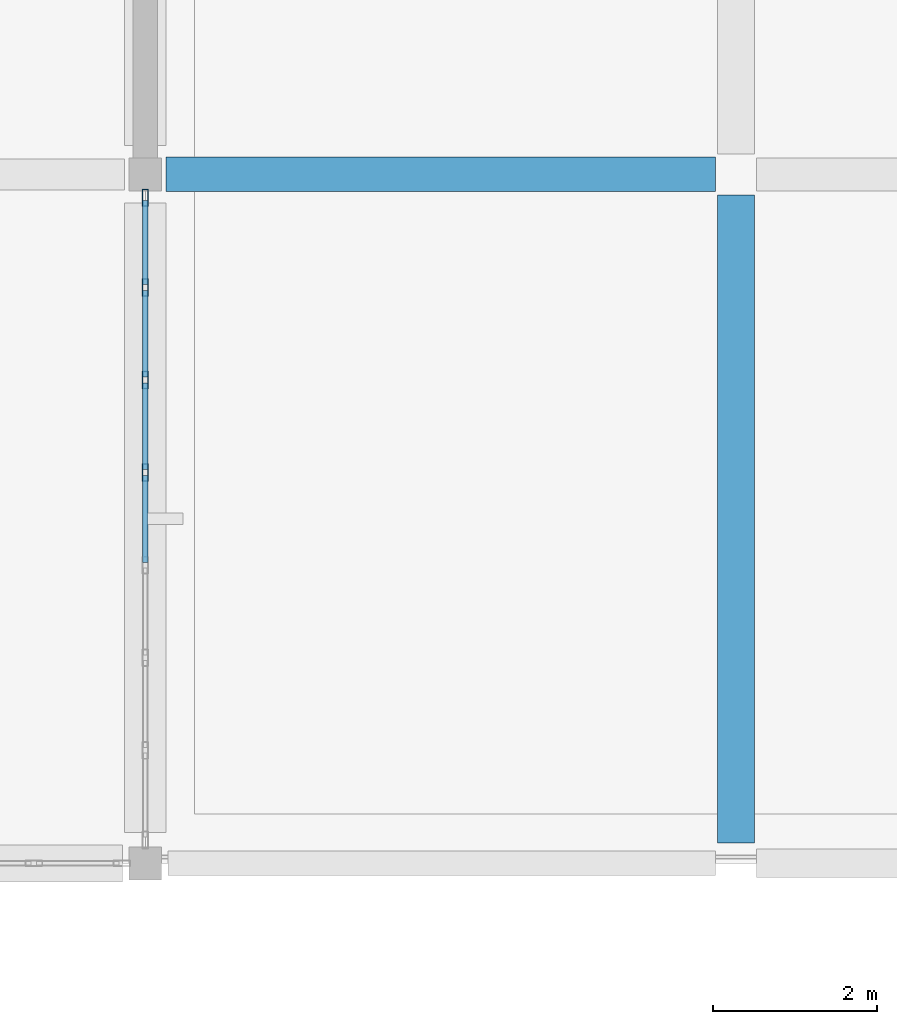
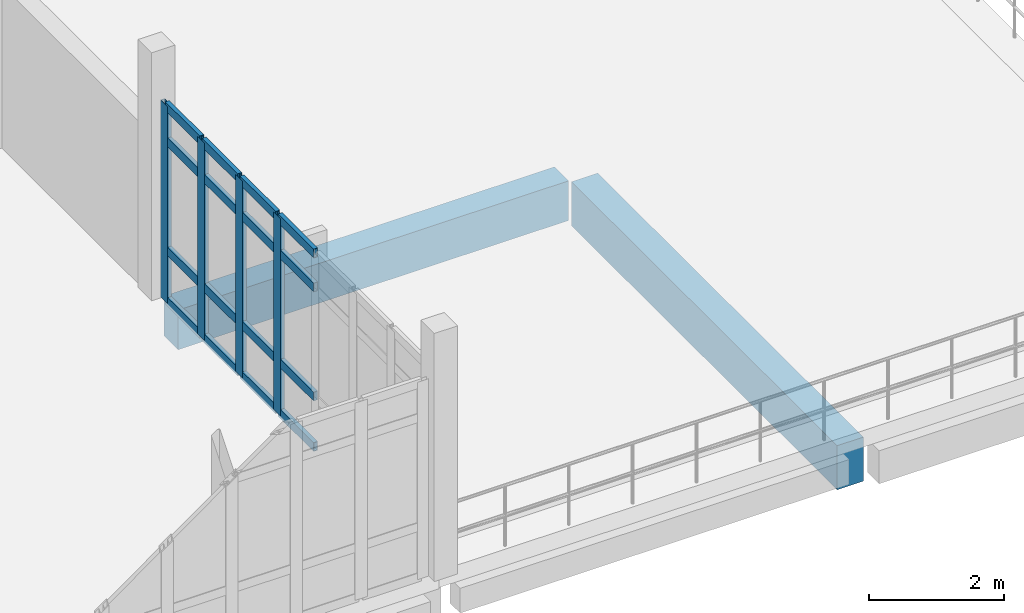
# One storey, part 17 of 34: 20 members, 2 beams, 1 element without a shape of its own.
"""IFC4 building model written with IfcOpenShell, lengths in metres."""

from ifc_helpers import new_model, si_unit, direction, frame, origin, origin_2d, place, context, subcontext, project, spatial, rectangle, hollow_rectangle, extrude, material, material_profile, profile_set, type_object, element, aggregate, save


model = new_model("IFC4")

# Units and contexts
model_context = context("Model", 3, precision=1e-05, world=origin(), true_north=direction((0.0, 1.0)))
body_context = subcontext(model_context, "Body", "Model", "MODEL_VIEW")
ifc_project = project(units=[si_unit("LENGTHUNIT", "METRE"), si_unit("AREAUNIT", "SQUARE_METRE"), si_unit("VOLUMEUNIT", "CUBIC_METRE"), si_unit("PLANEANGLEUNIT", "RADIAN"), si_unit("MASSUNIT", "GRAM", prefix="KILO")], contexts=[model_context])

# Site, building, storey
site_placement = place(None, origin())
site = spatial("IfcSite", under=ifc_project, at=site_placement, CompositionType="ELEMENT")
building_placement = place(site_placement, origin())
building = spatial("IfcBuilding", under=site, at=building_placement, Name="Kalluvel Institute of Natural Sciences", CompositionType="ELEMENT")
storey_placement = place(building_placement, frame((0.0, 0.0, 36.89990234375)))
storey = spatial("IfcBuildingStorey", under=building, at=storey_placement, Name="L08", CompositionType="ELEMENT", Elevation=36.89990234375)

# Beams
ifc_material_1 = material(Name="Concrete M40", Category="concrete")
ifc_material_profile_1 = material_profile(ifc_material_1, rectangle(XDim=0.419921875, YDim=0.719970703125, at=origin_2d()), Name="RCB 420x720")
ifc_profile_set_1 = profile_set([ifc_material_profile_1], Name="Concrete M40")
beam_type_1 = type_object("IfcBeamType", Name="BM-RC420x720", PredefinedType="BEAM", material=ifc_profile_set_1)
beam_1_placement = place(storey_placement, frame((86.25, 111.199951171875, -0.679931640625), z_axis=(1.0, 0.0, 0.0), x_axis=(0.0, 1.0, 0.0)))
element("IfcBeam", 1, at=beam_1_placement, inside=storey, type_object=beam_type_1, Name="L08 girder GIR-L08-EW-X860-Y1112", PredefinedType="BEAM", context=body_context, shape_type="SweptSolid", body=[
    extrude(rectangle(XDim=0.419921875, YDim=0.719970703125, at=origin_2d()), origin(), (0.0, 0.0, 1.0), 6.699951171875),
])
ifc_material_profile_2 = material_profile(ifc_material_1, rectangle(XDim=0.449951171875, YDim=0.800048828125, at=origin_2d()), Name="RCB 450x800")
ifc_profile_set_2 = profile_set([ifc_material_profile_2], Name="Concrete M40")
beam_type_2 = type_object("IfcBeamType", Name="BM-RC450x800", PredefinedType="BEAM", material=ifc_profile_set_2)
beam_2_placement = place(storey_placement, frame((93.199951171875, 103.050048828125, -0.719970703125), z_axis=(0.0, 1.0, 0.0), x_axis=(-1.0, 0.0, 0.0)))
element("IfcBeam", 2, at=beam_2_placement, inside=storey, type_object=beam_type_2, Name="L08 girder GIR-L08-NS-X932-Y1028", PredefinedType="BEAM", context=body_context, shape_type="SweptSolid", body=[
    extrude(rectangle(XDim=0.449951171875, YDim=0.800048828125, at=origin_2d()), origin(), (0.0, 0.0, 1.0), 7.89990234375),
])

# Curtain wall, members
ifc_material_2 = material(Name="Aluminium AW-6063 T6", Category="aluminium")
curtain_wall_type = type_object("IfcCurtainWallType", Name="CW-WET-45", PredefinedType="USERDEFINED", material=ifc_material_2)
curtain_wall_placement = place(storey_placement, origin())
curtain_wall = element("IfcCurtainWall", 3, at=curtain_wall_placement, inside=storey, type_object=curtain_wall_type, Name="L08 Gothic lancet curtain wall CWA-L08-X860-Y1030", ObjectType="UNITISED LANCET FACADE", PredefinedType="USERDEFINED")
ifc_material_profile_3 = material_profile(ifc_material_2, hollow_rectangle(XDim=0.070068359375, YDim=0.2099609375, WallThickness=0.0048828125, at=origin_2d()), Name="CWM 70x210")
ifc_profile_set_3 = profile_set([ifc_material_profile_3], Name="Aluminium AW-6063 T6")
member_type_1 = type_object("IfcMemberType", Name="CWM-70x210", PredefinedType="MULLION", material=ifc_profile_set_3)
member_1_placement = place(storey_placement, frame((86.0, 107.564208984375, 0.0), z_axis=(0.0, 0.0, 1.0), x_axis=(-1.0, 0.0, 0.0)))
member_1 = element("IfcMember", 4, at=member_1_placement, type_object=member_type_1, Name="CW-01 mullion 5", PredefinedType="MULLION", context=body_context, shape_type="SweptSolid", body=[
    extrude(hollow_rectangle(XDim=0.070068359375, YDim=0.2099609375, WallThickness=0.0048828125, at=origin_2d()), origin(), (0.0, 0.0, 1.0), 3.580078125),
])
member_2_placement = place(storey_placement, frame((86.0, 108.69287109375, 0.0), z_axis=(0.0, 0.0, 1.0), x_axis=(-1.0, 0.0, 0.0)))
member_2 = element("IfcMember", 5, at=member_2_placement, type_object=member_type_1, Name="CW-01 mullion 6", PredefinedType="MULLION", context=body_context, shape_type="SweptSolid", body=[
    extrude(hollow_rectangle(XDim=0.070068359375, YDim=0.2099609375, WallThickness=0.0048828125, at=origin_2d()), origin(), (0.0, 0.0, 1.0), 3.580078125),
])
member_3_placement = place(storey_placement, frame((86.0, 109.821533203125, 0.0), z_axis=(0.0, 0.0, 1.0), x_axis=(-1.0, 0.0, 0.0)))
member_3 = element("IfcMember", 6, at=member_3_placement, type_object=member_type_1, Name="CW-01 mullion 7", PredefinedType="MULLION", context=body_context, shape_type="SweptSolid", body=[
    extrude(hollow_rectangle(XDim=0.070068359375, YDim=0.2099609375, WallThickness=0.0048828125, at=origin_2d()), origin(), (0.0, 0.0, 1.0), 3.580078125),
])
member_4_placement = place(storey_placement, frame((86.0, 110.9150390625, 0.0), z_axis=(0.0, 0.0, 1.0), x_axis=(-1.0, 0.0, 0.0)))
member_4 = element("IfcMember", 7, at=member_4_placement, type_object=member_type_1, Name="CW-01 mullion 8", PredefinedType="MULLION", context=body_context, shape_type="SweptSolid", body=[
    extrude(hollow_rectangle(XDim=0.070068359375, YDim=0.2099609375, WallThickness=0.0048828125, at=origin_2d()), origin(), (0.0, 0.0, 1.0), 3.580078125),
])
ifc_material_profile_4 = material_profile(ifc_material_2, hollow_rectangle(XDim=0.070068359375, YDim=0.159912109375, WallThickness=0.0048828125, at=origin_2d()), Name="CWT 70x160")
ifc_profile_set_4 = profile_set([ifc_material_profile_4], Name="Aluminium AW-6063 T6")
member_type_2 = type_object("IfcMemberType", Name="CWT-70x160", PredefinedType="USERDEFINED", material=ifc_profile_set_4)
member_5_placement = place(storey_placement, frame((86.0, 106.470703125, 0.03515625), z_axis=(0.0, 1.0, 0.0), x_axis=(-1.0, 0.0, 0.0)))
member_5 = element("IfcMember", 8, at=member_5_placement, type_object=member_type_2, Name="CW-01 transom 4.1", ObjectType="TRANSOM", PredefinedType="USERDEFINED", context=body_context, shape_type="SweptSolid", body=[
    extrude(hollow_rectangle(XDim=0.070068359375, YDim=0.159912109375, WallThickness=0.0048828125, at=origin_2d()), origin(), (0.0, 0.0, 1.0), 1.05859375),
])
member_6_placement = place(storey_placement, frame((86.0, 106.470703125, 0.9501953125), z_axis=(0.0, 1.0, 0.0), x_axis=(-1.0, 0.0, 0.0)))
member_6 = element("IfcMember", 9, at=member_6_placement, type_object=member_type_2, Name="CW-01 transom 4.2", ObjectType="TRANSOM", PredefinedType="USERDEFINED", context=body_context, shape_type="SweptSolid", body=[
    extrude(hollow_rectangle(XDim=0.070068359375, YDim=0.159912109375, WallThickness=0.0048828125, at=origin_2d()), origin(), (0.0, 0.0, 1.0), 1.05859375),
])
member_7_placement = place(storey_placement, frame((86.0, 106.470703125, 2.93017578125), z_axis=(0.0, 1.0, 0.0), x_axis=(-1.0, 0.0, 0.0)))
member_7 = element("IfcMember", 10, at=member_7_placement, type_object=member_type_2, Name="CW-01 transom 4.3", ObjectType="TRANSOM", PredefinedType="USERDEFINED", context=body_context, shape_type="SweptSolid", body=[
    extrude(hollow_rectangle(XDim=0.070068359375, YDim=0.159912109375, WallThickness=0.0048828125, at=origin_2d()), origin(), (0.0, 0.0, 1.0), 1.05859375),
])
member_8_placement = place(storey_placement, frame((86.0, 106.470703125, 3.545166015625), z_axis=(0.0, 1.0, 0.0), x_axis=(-1.0, 0.0, 0.0)))
member_8 = element("IfcMember", 11, at=member_8_placement, type_object=member_type_2, Name="CW-01 transom 4.4", ObjectType="TRANSOM", PredefinedType="USERDEFINED", context=body_context, shape_type="SweptSolid", body=[
    extrude(hollow_rectangle(XDim=0.070068359375, YDim=0.159912109375, WallThickness=0.0048828125, at=origin_2d()), origin(), (0.0, 0.0, 1.0), 1.05859375),
])
member_9_placement = place(storey_placement, frame((86.0, 107.599365234375, 0.03515625), z_axis=(0.0, 1.0, 0.0), x_axis=(-1.0, 0.0, 0.0)))
member_9 = element("IfcMember", 12, at=member_9_placement, type_object=member_type_2, Name="CW-01 transom 5.1", ObjectType="TRANSOM", PredefinedType="USERDEFINED", context=body_context, shape_type="SweptSolid", body=[
    extrude(hollow_rectangle(XDim=0.070068359375, YDim=0.159912109375, WallThickness=0.0048828125, at=origin_2d()), origin(), (0.0, 0.0, 1.0), 1.05859375),
])
member_10_placement = place(storey_placement, frame((86.0, 107.599365234375, 0.9501953125), z_axis=(0.0, 1.0, 0.0), x_axis=(-1.0, 0.0, 0.0)))
member_10 = element("IfcMember", 13, at=member_10_placement, type_object=member_type_2, Name="CW-01 transom 5.2", ObjectType="TRANSOM", PredefinedType="USERDEFINED", context=body_context, shape_type="SweptSolid", body=[
    extrude(hollow_rectangle(XDim=0.070068359375, YDim=0.159912109375, WallThickness=0.0048828125, at=origin_2d()), origin(), (0.0, 0.0, 1.0), 1.05859375),
])
member_11_placement = place(storey_placement, frame((86.0, 107.599365234375, 2.93017578125), z_axis=(0.0, 1.0, 0.0), x_axis=(-1.0, 0.0, 0.0)))
member_11 = element("IfcMember", 14, at=member_11_placement, type_object=member_type_2, Name="CW-01 transom 5.3", ObjectType="TRANSOM", PredefinedType="USERDEFINED", context=body_context, shape_type="SweptSolid", body=[
    extrude(hollow_rectangle(XDim=0.070068359375, YDim=0.159912109375, WallThickness=0.0048828125, at=origin_2d()), origin(), (0.0, 0.0, 1.0), 1.05859375),
])
member_12_placement = place(storey_placement, frame((86.0, 107.599365234375, 3.545166015625), z_axis=(0.0, 1.0, 0.0), x_axis=(-1.0, 0.0, 0.0)))
member_12 = element("IfcMember", 15, at=member_12_placement, type_object=member_type_2, Name="CW-01 transom 5.4", ObjectType="TRANSOM", PredefinedType="USERDEFINED", context=body_context, shape_type="SweptSolid", body=[
    extrude(hollow_rectangle(XDim=0.070068359375, YDim=0.159912109375, WallThickness=0.0048828125, at=origin_2d()), origin(), (0.0, 0.0, 1.0), 1.05859375),
])
member_13_placement = place(storey_placement, frame((86.0, 108.727783203125, 0.03515625), z_axis=(0.0, 1.0, 0.0), x_axis=(-1.0, 0.0, 0.0)))
member_13 = element("IfcMember", 16, at=member_13_placement, type_object=member_type_2, Name="CW-01 transom 6.1", ObjectType="TRANSOM", PredefinedType="USERDEFINED", context=body_context, shape_type="SweptSolid", body=[
    extrude(hollow_rectangle(XDim=0.070068359375, YDim=0.159912109375, WallThickness=0.0048828125, at=origin_2d()), origin(), (0.0, 0.0, 1.0), 1.05859375),
])
member_14_placement = place(storey_placement, frame((86.0, 108.727783203125, 0.9501953125), z_axis=(0.0, 1.0, 0.0), x_axis=(-1.0, 0.0, 0.0)))
member_14 = element("IfcMember", 17, at=member_14_placement, type_object=member_type_2, Name="CW-01 transom 6.2", ObjectType="TRANSOM", PredefinedType="USERDEFINED", context=body_context, shape_type="SweptSolid", body=[
    extrude(hollow_rectangle(XDim=0.070068359375, YDim=0.159912109375, WallThickness=0.0048828125, at=origin_2d()), origin(), (0.0, 0.0, 1.0), 1.05859375),
])
member_15_placement = place(storey_placement, frame((86.0, 108.727783203125, 2.93017578125), z_axis=(0.0, 1.0, 0.0), x_axis=(-1.0, 0.0, 0.0)))
member_15 = element("IfcMember", 18, at=member_15_placement, type_object=member_type_2, Name="CW-01 transom 6.3", ObjectType="TRANSOM", PredefinedType="USERDEFINED", context=body_context, shape_type="SweptSolid", body=[
    extrude(hollow_rectangle(XDim=0.070068359375, YDim=0.159912109375, WallThickness=0.0048828125, at=origin_2d()), origin(), (0.0, 0.0, 1.0), 1.05859375),
])
member_16_placement = place(storey_placement, frame((86.0, 108.727783203125, 3.545166015625), z_axis=(0.0, 1.0, 0.0), x_axis=(-1.0, 0.0, 0.0)))
member_16 = element("IfcMember", 19, at=member_16_placement, type_object=member_type_2, Name="CW-01 transom 6.4", ObjectType="TRANSOM", PredefinedType="USERDEFINED", context=body_context, shape_type="SweptSolid", body=[
    extrude(hollow_rectangle(XDim=0.070068359375, YDim=0.159912109375, WallThickness=0.0048828125, at=origin_2d()), origin(), (0.0, 0.0, 1.0), 1.05859375),
])
member_17_placement = place(storey_placement, frame((86.0, 109.8564453125, 0.03515625), z_axis=(0.0, 1.0, 0.0), x_axis=(-1.0, 0.0, 0.0)))
member_17 = element("IfcMember", 20, at=member_17_placement, type_object=member_type_2, Name="CW-01 transom 7.1", ObjectType="TRANSOM", PredefinedType="USERDEFINED", context=body_context, shape_type="SweptSolid", body=[
    extrude(hollow_rectangle(XDim=0.070068359375, YDim=0.159912109375, WallThickness=0.0048828125, at=origin_2d()), origin(), (0.0, 0.0, 1.0), 1.0234375),
])
member_18_placement = place(storey_placement, frame((86.0, 109.8564453125, 0.9501953125), z_axis=(0.0, 1.0, 0.0), x_axis=(-1.0, 0.0, 0.0)))
member_18 = element("IfcMember", 21, at=member_18_placement, type_object=member_type_2, Name="CW-01 transom 7.2", ObjectType="TRANSOM", PredefinedType="USERDEFINED", context=body_context, shape_type="SweptSolid", body=[
    extrude(hollow_rectangle(XDim=0.070068359375, YDim=0.159912109375, WallThickness=0.0048828125, at=origin_2d()), origin(), (0.0, 0.0, 1.0), 1.0234375),
])
member_19_placement = place(storey_placement, frame((86.0, 109.8564453125, 2.93017578125), z_axis=(0.0, 1.0, 0.0), x_axis=(-1.0, 0.0, 0.0)))
member_19 = element("IfcMember", 22, at=member_19_placement, type_object=member_type_2, Name="CW-01 transom 7.3", ObjectType="TRANSOM", PredefinedType="USERDEFINED", context=body_context, shape_type="SweptSolid", body=[
    extrude(hollow_rectangle(XDim=0.070068359375, YDim=0.159912109375, WallThickness=0.0048828125, at=origin_2d()), origin(), (0.0, 0.0, 1.0), 1.0234375),
])
member_20_placement = place(storey_placement, frame((86.0, 109.8564453125, 3.545166015625), z_axis=(0.0, 1.0, 0.0), x_axis=(-1.0, 0.0, 0.0)))
member_20 = element("IfcMember", 23, at=member_20_placement, type_object=member_type_2, Name="CW-01 transom 7.4", ObjectType="TRANSOM", PredefinedType="USERDEFINED", context=body_context, shape_type="SweptSolid", body=[
    extrude(hollow_rectangle(XDim=0.070068359375, YDim=0.159912109375, WallThickness=0.0048828125, at=origin_2d()), origin(), (0.0, 0.0, 1.0), 1.0234375),
])
aggregate(curtain_wall, [member_1, member_2, member_3, member_4, member_5, member_6, member_7, member_8, member_9, member_10, member_11, member_12, member_13, member_14, member_15, member_16, member_17, member_18, member_19, member_20])

save(model, "model.ifc")
